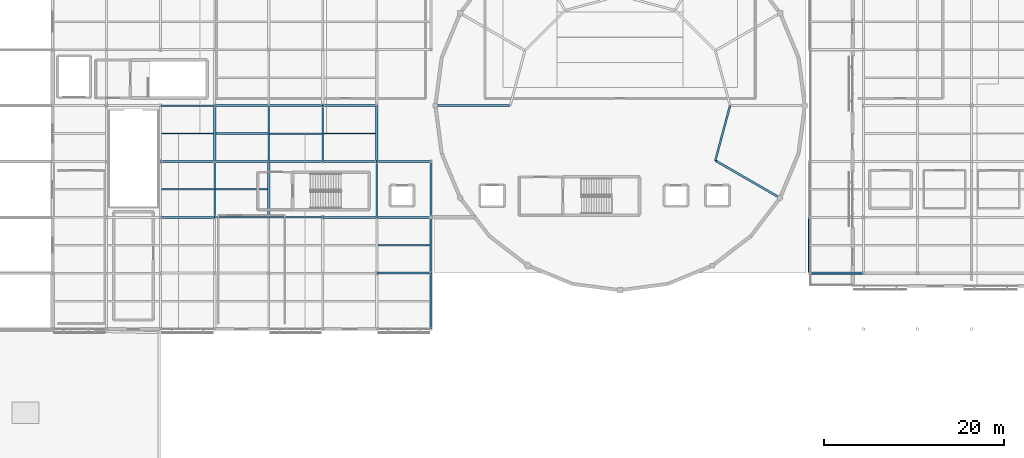
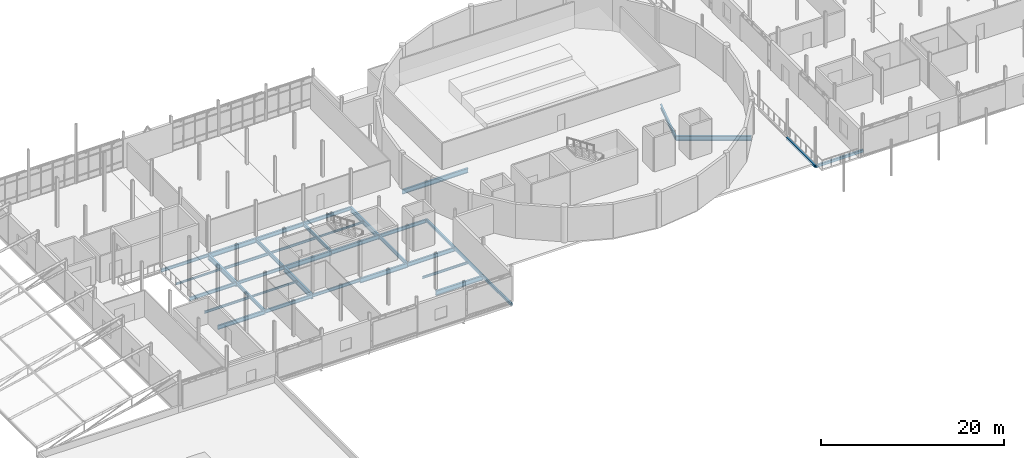
# One storey, part 24 of 84: 37 beams.
"""IFC4 building model written with IfcOpenShell, lengths in metres."""

from ifc_helpers import new_model, si_unit, direction, frame, origin, origin_2d, place, context, subcontext, project, spatial, hollow_rectangle, i_section, extrude, material, material_profile, profile_set, type_object, element, save


model = new_model("IFC4")

# Units and contexts
model_context = context("Model", 3, precision=1e-05, world=origin(), true_north=direction((0.0, 1.0)))
body_context = subcontext(model_context, "Body", "Model", "MODEL_VIEW")
ifc_project = project(units=[si_unit("LENGTHUNIT", "METRE"), si_unit("AREAUNIT", "SQUARE_METRE"), si_unit("VOLUMEUNIT", "CUBIC_METRE"), si_unit("PLANEANGLEUNIT", "RADIAN"), si_unit("MASSUNIT", "GRAM", prefix="KILO")], contexts=[model_context])

# Site, building, storey
site_placement = place(None, origin())
site = spatial("IfcSite", under=ifc_project, at=site_placement, CompositionType="ELEMENT")
building_placement = place(site_placement, origin())
building = spatial("IfcBuilding", under=site, at=building_placement, Name="Mirzam Square Science Centre", CompositionType="ELEMENT")
storey_placement = place(building_placement, frame((0.0, 0.0, 10.800048828125)))
storey = spatial("IfcBuildingStorey", under=building, at=storey_placement, Name="L02", CompositionType="ELEMENT", Elevation=10.800048828125)

# Beams
ifc_material = material(Name="Steel S355", Category="steel")
ifc_material_profile_1 = material_profile(ifc_material, i_section(OverallWidth=0.1787109375, OverallDepth=0.409423828125, WebThickness=0.0087890625, FlangeThickness=0.014404296875, FilletRadius=0.01025390625, at=origin_2d()), Name="406x178x67UB")
ifc_profile_set_1 = profile_set([ifc_material_profile_1], Name="Steel S355")
beam_type_1 = type_object("IfcBeamType", Name="BM-UB406", PredefinedType="BEAM", material=ifc_profile_set_1)
for number, where, z_axis, x_axis, name in (
    (1, (42.0, 49.60009765625, -0.46484375), (1.0, 0.0, 0.0), (0.0, 1.0, 0.0), "L02 girder X8-9"),
    (2, (36.0, 55.800048828125, -0.46484375), (1.0, 0.0, 0.0), (0.0, 1.0, 0.0), "L02 girder X7-10"),
    (3, (30.0, 62.0, -0.46484375), (1.0, 0.0, 0.0), (0.0, 1.0, 0.0), "L02 girder X6-11"),
):
    element("IfcBeam", number, at=place(storey_placement, frame(where, z_axis=z_axis, x_axis=x_axis)), inside=storey, type_object=beam_type_1, Name=name, PredefinedType="BEAM", context=body_context, shape_type="SweptSolid", body=[
        extrude(i_section(OverallWidth=0.1787109375, OverallDepth=0.409423828125, WebThickness=0.0087890625, FlangeThickness=0.014404296875, FilletRadius=0.01025390625, at=origin_2d()), origin(), (0.0, 0.0, 1.0), 6.0),
    ])
ifc_material_profile_2 = material_profile(ifc_material, i_section(OverallWidth=0.19140625, OverallDepth=0.4599609375, WebThickness=0.010009765625, FlangeThickness=0.01611328125, FilletRadius=0.01025390625, at=origin_2d()), Name="457x191x82UB")
ifc_profile_set_2 = profile_set([ifc_material_profile_2], Name="Steel S355")
beam_type_2 = type_object("IfcBeamType", Name="BM-UB457", PredefinedType="BEAM", material=ifc_profile_set_2)
for number, where, z_axis, x_axis, name in (
    (4, (36.0, 49.60009765625, -0.489990234375), (1.0, 0.0, 0.0), (0.0, 1.0, 0.0), "L02 girder X7-9"),
    (5, (30.0, 55.800048828125, -0.489990234375), (1.0, 0.0, 0.0), (0.0, 1.0, 0.0), "L02 girder X6-10"),
    (6, (54.0, 55.800048828125, -0.489990234375), (1.0, 0.0, 0.0), (0.0, 1.0, 0.0), "L02 girder X10-10"),
    (7, (48.0, 62.0, -0.489990234375), (1.0, 0.0, 0.0), (0.0, 1.0, 0.0), "L02 girder X9-11"),
):
    element("IfcBeam", number, at=place(storey_placement, frame(where, z_axis=z_axis, x_axis=x_axis)), inside=storey, type_object=beam_type_2, Name=name, PredefinedType="BEAM", context=body_context, shape_type="SweptSolid", body=[
        extrude(i_section(OverallWidth=0.19140625, OverallDepth=0.4599609375, WebThickness=0.010009765625, FlangeThickness=0.01611328125, FilletRadius=0.01025390625, at=origin_2d()), origin(), (0.0, 0.0, 1.0), 6.0),
    ])
for number, where, z_axis, x_axis, name in (
    (8, (36.0, 49.60009765625, -0.489990234375), (0.0, 1.0, 0.0), (-1.0, 0.0, 0.0), "L02 girder Y7-9"),
    (9, (48.0, 55.800048828125, -0.489990234375), (0.0, 1.0, 0.0), (-1.0, 0.0, 0.0), "L02 girder Y9-10"),
    (10, (54.0, 49.60009765625, -0.489990234375), (0.0, 1.0, 0.0), (-1.0, 0.0, 0.0), "L02 girder Y10-9"),
):
    element("IfcBeam", number, at=place(storey_placement, frame(where, z_axis=z_axis, x_axis=x_axis)), inside=storey, type_object=beam_type_2, Name=name, PredefinedType="BEAM", context=body_context, shape_type="SweptSolid", body=[
        extrude(i_section(OverallWidth=0.19140625, OverallDepth=0.4599609375, WebThickness=0.010009765625, FlangeThickness=0.01611328125, FilletRadius=0.01025390625, at=origin_2d()), origin(), (0.0, 0.0, 1.0), 6.199951171875),
    ])
ifc_material_profile_3 = material_profile(ifc_material, i_section(OverallWidth=0.2099609375, OverallDepth=0.53662109375, WebThickness=0.0107421875, FlangeThickness=0.017333984375, FilletRadius=0.0126953125, at=origin_2d()), Name="533x210x101UB")
ifc_profile_set_3 = profile_set([ifc_material_profile_3], Name="Steel S355")
beam_type_3 = type_object("IfcBeamType", Name="BM-UB533", PredefinedType="BEAM", material=ifc_profile_set_3)
beam_1_placement = place(storey_placement, frame((91.5654296875, 55.89990234375, -0.54833984375), z_axis=(0.25881981979, 0.965925618712, 0.0), x_axis=(-0.965925618712, 0.25881981979, 0.0)))
element("IfcBeam", 11, at=beam_1_placement, inside=storey, type_object=beam_type_3, Name="L02 inner drum ring girder 12", PredefinedType="BEAM", context=body_context, shape_type="SweptSolid", body=[
    extrude(i_section(OverallWidth=0.2099609375, OverallDepth=0.53662109375, WebThickness=0.0107421875, FlangeThickness=0.017333984375, FilletRadius=0.0126953125, at=origin_2d()), origin(), (0.0, 0.0, 1.0), 6.315185546875),
])
for number, where, z_axis, x_axis, name in (
    (12, (30.0, 49.60009765625, -0.528564453125), (1.0, 0.0, 0.0), (0.0, 1.0, 0.0), "L02 girder X6-9"),
    (13, (54.0, 49.60009765625, -0.528564453125), (1.0, 0.0, 0.0), (0.0, 1.0, 0.0), "L02 girder X10-9"),
    (14, (48.0, 55.800048828125, -0.528564453125), (1.0, 0.0, 0.0), (0.0, 1.0, 0.0), "L02 girder X9-10"),
    (15, (42.0, 62.0, -0.528564453125), (1.0, 0.0, 0.0), (0.0, 1.0, 0.0), "L02 girder X8-11"),
):
    element("IfcBeam", number, at=place(storey_placement, frame(where, z_axis=z_axis, x_axis=x_axis)), inside=storey, type_object=beam_type_3, Name=name, PredefinedType="BEAM", context=body_context, shape_type="SweptSolid", body=[
        extrude(i_section(OverallWidth=0.2099609375, OverallDepth=0.53662109375, WebThickness=0.0107421875, FlangeThickness=0.017333984375, FilletRadius=0.0126953125, at=origin_2d()), origin(), (0.0, 0.0, 1.0), 6.0),
    ])
beam_2_placement = place(storey_placement, frame((42.0, 55.800048828125, -0.528564453125), z_axis=(0.0, 1.0, 0.0), x_axis=(-1.0, 0.0, 0.0)))
element("IfcBeam", 16, at=beam_2_placement, inside=storey, type_object=beam_type_3, Name="L02 girder Y8-10", PredefinedType="BEAM", context=body_context, shape_type="SweptSolid", body=[
    extrude(i_section(OverallWidth=0.2099609375, OverallDepth=0.53662109375, WebThickness=0.0107421875, FlangeThickness=0.017333984375, FilletRadius=0.0126953125, at=origin_2d()), origin(), (0.0, 0.0, 1.0), 6.199951171875),
])
ifc_material_profile_4 = material_profile(ifc_material, i_section(OverallWidth=0.22900390625, OverallDepth=0.6123046875, WebThickness=0.011962890625, FlangeThickness=0.01953125, FilletRadius=0.0126953125, at=origin_2d()), Name="610x229x125UB")
ifc_profile_set_4 = profile_set([ifc_material_profile_4], Name="Steel S355")
beam_type_4 = type_object("IfcBeamType", Name="BM-UB610", PredefinedType="BEAM", material=ifc_profile_set_4)
for number, where, z_axis, x_axis, name in (
    (17, (68.800048828125, 62.0, -0.586181640625), (-1.0, 0.0, 0.0), (0.0, -1.0, 0.0), "L02 drum radial girder 07"),
    (18, (91.5654296875, 55.89990234375, -0.586181640625), (0.86602981871, -0.499992353047, 0.0), (0.499992353047, 0.86602981871, 0.0), "L02 drum radial girder 12"),
):
    element("IfcBeam", number, at=place(storey_placement, frame(where, z_axis=z_axis, x_axis=x_axis)), inside=storey, type_object=beam_type_4, Name=name, PredefinedType="BEAM", context=body_context, shape_type="SweptSolid", body=[
        extrude(i_section(OverallWidth=0.22900390625, OverallDepth=0.6123046875, WebThickness=0.011962890625, FlangeThickness=0.01953125, FilletRadius=0.0126953125, at=origin_2d()), origin(), (0.0, 0.0, 1.0), 8.300048828125),
    ])
for number, where, z_axis, x_axis, name in (
    (19, (54.0, 43.39990234375, -0.566162109375), (1.0, 0.0, 0.0), (0.0, 1.0, 0.0), "L02 girder X10-8"),
    (20, (48.0, 49.60009765625, -0.566162109375), (1.0, 0.0, 0.0), (0.0, 1.0, 0.0), "L02 girder X9-9"),
    (21, (42.0, 55.800048828125, -0.566162109375), (1.0, 0.0, 0.0), (0.0, 1.0, 0.0), "L02 girder X8-10"),
    (22, (36.0, 62.0, -0.566162109375), (1.0, 0.0, 0.0), (0.0, 1.0, 0.0), "L02 girder X7-11"),
):
    element("IfcBeam", number, at=place(storey_placement, frame(where, z_axis=z_axis, x_axis=x_axis)), inside=storey, type_object=beam_type_4, Name=name, PredefinedType="BEAM", context=body_context, shape_type="SweptSolid", body=[
        extrude(i_section(OverallWidth=0.22900390625, OverallDepth=0.6123046875, WebThickness=0.011962890625, FlangeThickness=0.01953125, FilletRadius=0.0126953125, at=origin_2d()), origin(), (0.0, 0.0, 1.0), 6.0),
    ])
ifc_material_profile_5 = material_profile(ifc_material, i_section(OverallWidth=0.25439453125, OverallDepth=0.6875, WebThickness=0.01318359375, FlangeThickness=0.02099609375, FilletRadius=0.01513671875, at=origin_2d()), Name="686x254x152UB")
ifc_profile_set_5 = profile_set([ifc_material_profile_5], Name="Steel S355")
beam_type_5 = type_object("IfcBeamType", Name="BM-UB686", PredefinedType="BEAM", material=ifc_profile_set_5)
for number, where, z_axis, x_axis, name in (
    (23, (36.0, 55.800048828125, -0.603759765625), (0.0, 1.0, 0.0), (-1.0, 0.0, 0.0), "L02 girder Y7-10"),
    (24, (42.0, 49.60009765625, -0.603759765625), (0.0, 1.0, 0.0), (-1.0, 0.0, 0.0), "L02 girder Y8-9"),
    (25, (54.0, 55.800048828125, -0.603759765625), (0.0, 1.0, 0.0), (-1.0, 0.0, 0.0), "L02 girder Y10-10"),
):
    element("IfcBeam", number, at=place(storey_placement, frame(where, z_axis=z_axis, x_axis=x_axis)), inside=storey, type_object=beam_type_5, Name=name, PredefinedType="BEAM", context=body_context, shape_type="SweptSolid", body=[
        extrude(i_section(OverallWidth=0.25439453125, OverallDepth=0.6875, WebThickness=0.01318359375, FlangeThickness=0.02099609375, FilletRadius=0.01513671875, at=origin_2d()), origin(), (0.0, 0.0, 1.0), 6.199951171875),
    ])
ifc_material_profile_6 = material_profile(ifc_material, i_section(OverallWidth=0.146484375, OverallDepth=0.256103515625, WebThickness=0.00634765625, FlangeThickness=0.010986328125, FilletRadius=0.007568359375, at=origin_2d()), Name="254x146x37UB")
ifc_profile_set_6 = profile_set([ifc_material_profile_6], Name="Steel S355")
beam_type_6 = type_object("IfcBeamType", Name="JS-UB254", PredefinedType="JOIST", material=ifc_profile_set_6)
for number, where, z_axis, x_axis, name in (
    (26, (30.095703125, 58.89990234375, -0.387939453125), (1.0, 0.0, 0.0), (0.0, 1.0, 0.0), "L02 composite joist 6-10"),
    (27, (36.095703125, 52.699951171875, -0.387939453125), (1.0, 0.0, 0.0), (0.0, 1.0, 0.0), "L02 composite joist 7-9"),
    (28, (48.095703125, 58.89990234375, -0.387939453125), (1.0, 0.0, 0.0), (0.0, 1.0, 0.0), "L02 composite joist 9-10"),
):
    element("IfcBeam", number, at=place(storey_placement, frame(where, z_axis=z_axis, x_axis=x_axis)), inside=storey, type_object=beam_type_6, Name=name, PredefinedType="JOIST", context=body_context, shape_type="SweptSolid", body=[
        extrude(i_section(OverallWidth=0.146484375, OverallDepth=0.256103515625, WebThickness=0.00634765625, FlangeThickness=0.010986328125, FilletRadius=0.007568359375, at=origin_2d()), origin(), (0.0, 0.0, 1.0), 5.777099609375),
    ])
ifc_material_profile_7 = material_profile(ifc_material, i_section(OverallWidth=0.165771484375, OverallDepth=0.306640625, WebThickness=0.006591796875, FlangeThickness=0.01171875, FilletRadius=0.0087890625, at=origin_2d()), Name="305x165x46UB")
ifc_profile_set_7 = profile_set([ifc_material_profile_7], Name="Steel S355")
beam_type_7 = type_object("IfcBeamType", Name="JS-UB305", PredefinedType="JOIST", material=ifc_profile_set_7)
for number, where, z_axis, x_axis, name in (
    (29, (30.10498046875, 52.699951171875, -0.413330078125), (1.0, 0.0, 0.0), (0.0, 1.0, 0.0), "L02 composite joist 6-9"),
    (30, (42.10498046875, 58.89990234375, -0.413330078125), (1.0, 0.0, 0.0), (0.0, 1.0, 0.0), "L02 composite joist 8-10"),
):
    element("IfcBeam", number, at=place(storey_placement, frame(where, z_axis=z_axis, x_axis=x_axis)), inside=storey, type_object=beam_type_7, Name=name, PredefinedType="JOIST", context=body_context, shape_type="SweptSolid", body=[
        extrude(i_section(OverallWidth=0.165771484375, OverallDepth=0.306640625, WebThickness=0.006591796875, FlangeThickness=0.01171875, FilletRadius=0.0087890625, at=origin_2d()), origin(), (0.0, 0.0, 1.0), 5.79931640625),
    ])
beam_3_placement = place(storey_placement, frame((54.10498046875, 46.5, -0.413330078125), z_axis=(1.0, 0.0, 0.0), x_axis=(0.0, 1.0, 0.0)))
element("IfcBeam", 31, at=beam_3_placement, inside=storey, type_object=beam_type_7, Name="L02 composite joist 10-8", PredefinedType="JOIST", context=body_context, shape_type="SweptSolid", body=[
    extrude(i_section(OverallWidth=0.165771484375, OverallDepth=0.306640625, WebThickness=0.006591796875, FlangeThickness=0.01171875, FilletRadius=0.0087890625, at=origin_2d()), origin(), (0.0, 0.0, 1.0), 5.77001953125),
])
ifc_material_profile_8 = material_profile(ifc_material, i_section(OverallWidth=0.172119140625, OverallDepth=0.35791015625, WebThickness=0.008056640625, FlangeThickness=0.012939453125, FilletRadius=0.01025390625, at=origin_2d()), Name="356x171x57UB")
ifc_profile_set_8 = profile_set([ifc_material_profile_8], Name="Steel S355")
beam_type_8 = type_object("IfcBeamType", Name="JS-UB356", PredefinedType="JOIST", material=ifc_profile_set_8)
beam_4_placement = place(storey_placement, frame((36.127197265625, 58.89990234375, -0.43896484375), z_axis=(1.0, 0.0, 0.0), x_axis=(0.0, 1.0, 0.0)))
element("IfcBeam", 32, at=beam_4_placement, inside=storey, type_object=beam_type_8, Name="L02 composite joist 7-10", PredefinedType="JOIST", context=body_context, shape_type="SweptSolid", body=[
    extrude(i_section(OverallWidth=0.172119140625, OverallDepth=0.35791015625, WebThickness=0.008056640625, FlangeThickness=0.012939453125, FilletRadius=0.01025390625, at=origin_2d()), origin(), (0.0, 0.0, 1.0), 5.767822265625),
])
ifc_material_profile_9 = material_profile(ifc_material, hollow_rectangle(XDim=0.25, YDim=0.35009765625, WallThickness=0.012451171875, InnerFilletRadius=0.012451171875, OuterFilletRadius=0.02490234375, at=origin_2d()), Name="350x250x12.5RHS")
ifc_profile_set_9 = profile_set([ifc_material_profile_9], Name="Steel S355")
beam_type_9 = type_object("IfcBeamType", Name="SP-RHS350", PredefinedType="SPANDREL", material=ifc_profile_set_9)
beam_5_placement = place(storey_placement, frame((102.0, 43.39990234375, -0.425048828125), z_axis=(1.0, 0.0, 0.0), x_axis=(0.0, 1.0, 0.0)))
element("IfcBeam", 33, at=beam_5_placement, inside=storey, type_object=beam_type_9, Name="L02 girder X18-8", PredefinedType="SPANDREL", context=body_context, shape_type="SweptSolid", body=[
    extrude(hollow_rectangle(XDim=0.25, YDim=0.35009765625, WallThickness=0.012451171875, InnerFilletRadius=0.012451171875, OuterFilletRadius=0.02490234375, at=origin_2d()), origin(), (0.0, 0.0, 1.0), 6.0),
])
beam_6_placement = place(storey_placement, frame((60.0, 37.199951171875, -0.43505859375), z_axis=(0.0, 1.0, 0.0), x_axis=(-1.0, 0.0, 0.0)))
element("IfcBeam", 34, at=beam_6_placement, inside=storey, type_object=beam_type_9, Name="L02 girder Y11-7", PredefinedType="SPANDREL", context=body_context, shape_type="SweptSolid", body=[
    extrude(hollow_rectangle(XDim=0.25, YDim=0.35009765625, WallThickness=0.012451171875, InnerFilletRadius=0.012451171875, OuterFilletRadius=0.02490234375, at=origin_2d()), origin(), (0.0, 0.0, 1.0), 6.199951171875),
])
beam_7_placement = place(storey_placement, frame((60.0, 43.39990234375, -0.43505859375), z_axis=(0.0, 1.0, 0.0), x_axis=(-1.0, 0.0, 0.0)))
element("IfcBeam", 35, at=beam_7_placement, inside=storey, type_object=beam_type_9, Name="L02 girder Y11-8", PredefinedType="SPANDREL", context=body_context, shape_type="SweptSolid", body=[
    extrude(hollow_rectangle(XDim=0.25, YDim=0.35009765625, WallThickness=0.012451171875, InnerFilletRadius=0.012451171875, OuterFilletRadius=0.02490234375, at=origin_2d()), origin(), (0.0, 0.0, 1.0), 6.2001953125),
])
beam_8_placement = place(storey_placement, frame((60.0, 49.60009765625, -0.43505859375), z_axis=(0.0, 1.0, 0.0), x_axis=(-1.0, 0.0, 0.0)))
element("IfcBeam", 36, at=beam_8_placement, inside=storey, type_object=beam_type_9, Name="L02 girder Y11-9", PredefinedType="SPANDREL", context=body_context, shape_type="SweptSolid", body=[
    extrude(hollow_rectangle(XDim=0.25, YDim=0.35009765625, WallThickness=0.012451171875, InnerFilletRadius=0.012451171875, OuterFilletRadius=0.02490234375, at=origin_2d()), origin(), (0.0, 0.0, 1.0), 6.199951171875),
])
beam_9_placement = place(storey_placement, frame((102.0, 43.39990234375, -0.425048828125), z_axis=(0.0, 1.0, 0.0), x_axis=(-1.0, 0.0, 0.0)))
element("IfcBeam", 37, at=beam_9_placement, inside=storey, type_object=beam_type_9, Name="L02 girder Y18-8", PredefinedType="SPANDREL", context=body_context, shape_type="SweptSolid", body=[
    extrude(hollow_rectangle(XDim=0.25, YDim=0.35009765625, WallThickness=0.012451171875, InnerFilletRadius=0.012451171875, OuterFilletRadius=0.02490234375, at=origin_2d()), origin(), (0.0, 0.0, 1.0), 6.2001953125),
])

save(model, "model.ifc")
